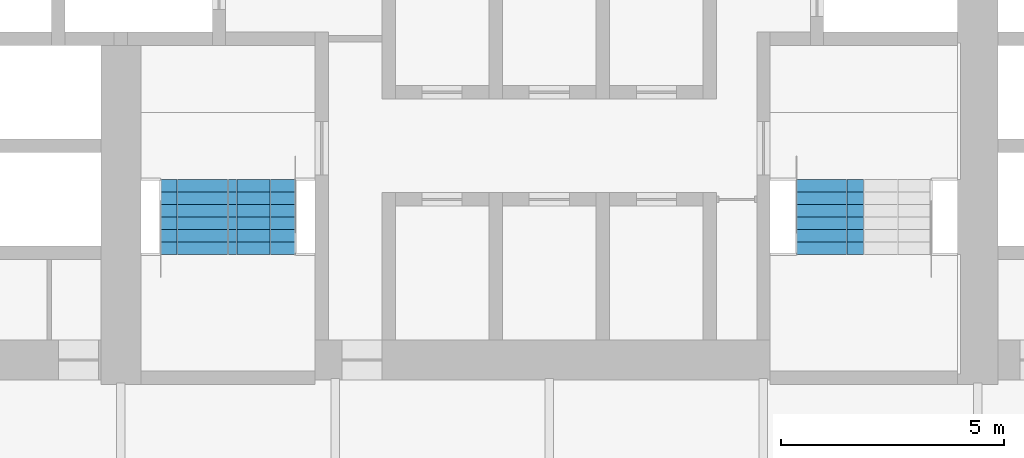
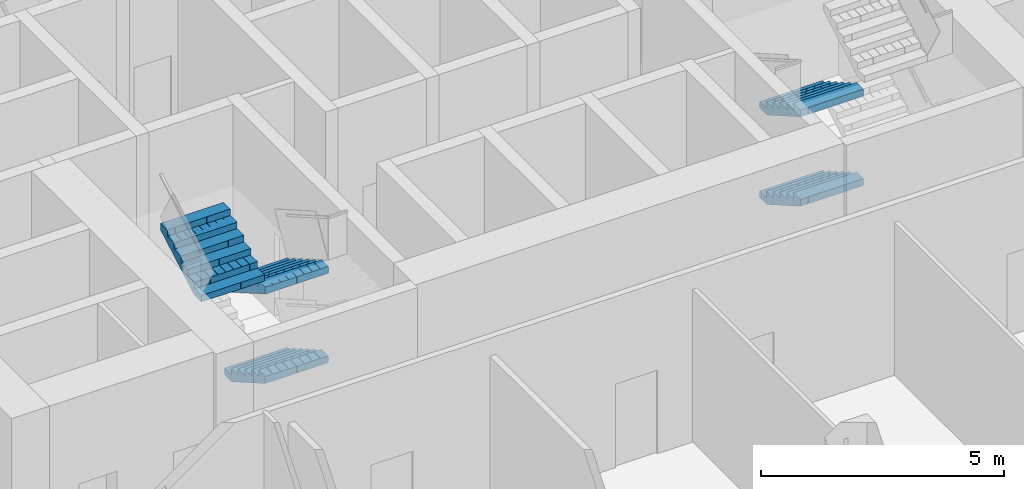
# One storey, part 18 of 22: 5 stair flights, 2 elements without a shape of their own.
"""IFC4 building model written with IfcOpenShell, lengths in metres."""

from ifc_helpers import new_model, si_unit, direction, frame, origin, place, context, subcontext, project, spatial, polyline, outline, extrude, material, type_object, element, aggregate, save


model = new_model("IFC4")

# Units and contexts
model_context = context("Model", 3, precision=1e-05, world=origin(), true_north=direction((0.0, 1.0)))
body_context = subcontext(model_context, "Body", "Model", "MODEL_VIEW")
ifc_project = project(units=[si_unit("LENGTHUNIT", "METRE"), si_unit("AREAUNIT", "SQUARE_METRE"), si_unit("VOLUMEUNIT", "CUBIC_METRE"), si_unit("PLANEANGLEUNIT", "RADIAN"), si_unit("MASSUNIT", "GRAM", prefix="KILO")], contexts=[model_context])

# Site, building, storey
site_placement = place(None, origin())
site = spatial("IfcSite", under=ifc_project, at=site_placement, CompositionType="ELEMENT")
building_placement = place(site_placement, origin())
building = spatial("IfcBuilding", under=site, at=building_placement, Name="Kolab Exchange Tower", CompositionType="ELEMENT")
storey_placement = place(building_placement, frame((0.0, 0.0, 113.89990234375)))
storey = spatial("IfcBuildingStorey", under=building, at=storey_placement, Name="L22", CompositionType="ELEMENT", Elevation=113.89990234375)

# Stair, stair flights
ifc_material = material(Name="Concrete C50/60", Category="concrete")
stair_type_1 = type_object("IfcStairType", Name="STAIR ST3 RISER 160.7", PredefinedType="DOUBLE_RETURN_STAIR", material=ifc_material)
stair_1_placement = place(storey_placement, origin())
stair_1 = element("IfcStair", 1, at=stair_1_placement, inside=storey, type_object=stair_type_1, Name="Stair 3", PredefinedType="DOUBLE_RETURN_STAIR")
stair_flight_type = type_object("IfcStairFlightType", Name="STAIR FLIGHT 1500 RISER 160.7", PredefinedType="STRAIGHT", material=ifc_material)
stair_flight_1_placement = place(storey_placement, frame((-6.43994140625, -5.550048828125, 0.0), z_axis=(0.0, 0.0, 1.0), x_axis=(0.0, -1.0, 0.0)))
stair_flight_1 = element("IfcStairFlight", 2, at=stair_flight_1_placement, type_object=stair_flight_type, Name="ST3 flight 1", NumberOfRisers=7, NumberOfTreads=6, PredefinedType="STRAIGHT", RiserHeight=0.160714286, TreadLength=0.28, context=body_context, shape_type="SweptSolid", body=[
    extrude(outline(polyline([(0.0, 0.0), (0.0, 0.16064453125), (0.280029296875, 0.16064453125), (0.280029296875, 0.321533203125), (0.56005859375, 0.321533203125), (0.56005859375, 0.482177734375), (0.840087890625, 0.482177734375), (0.840087890625, 0.642822265625), (1.1201171875, 0.642822265625), (1.1201171875, 0.803466796875), (1.39990234375, 0.803466796875), (1.39990234375, 0.96435546875), (1.679931640625, 0.96435546875), (1.679931640625, 1.125), (1.679931640625, 0.79150390625), (0.301025390625, 0.0), (0.0, 0.0)])), frame((0.0, 0.75, 0.0), z_axis=(0.0, -1.0, 0.0), x_axis=(1.0, 0.0, 0.0)), (0.0, 0.0, 1.0), 0.185791015625),
    extrude(outline(polyline([(0.0, 0.0), (0.0, 0.16064453125), (0.280029296875, 0.16064453125), (0.280029296875, 0.321533203125), (0.56005859375, 0.321533203125), (0.56005859375, 0.482177734375), (0.840087890625, 0.482177734375), (0.840087890625, 0.642822265625), (1.1201171875, 0.642822265625), (1.1201171875, 0.803466796875), (1.39990234375, 0.803466796875), (1.39990234375, 0.96435546875), (1.679931640625, 0.96435546875), (1.679931640625, 1.125), (1.679931640625, 0.79150390625), (0.301025390625, 0.0), (0.0, 0.0)])), frame((0.0, 0.562255859375, 0.0), z_axis=(0.0, -1.0, 0.0), x_axis=(1.0, 0.0, 0.0)), (0.0, 0.0, 1.0), 0.185791015625),
    extrude(outline(polyline([(0.0, 0.0), (0.0, 0.16064453125), (0.280029296875, 0.16064453125), (0.280029296875, 0.321533203125), (0.56005859375, 0.321533203125), (0.56005859375, 0.482177734375), (0.840087890625, 0.482177734375), (0.840087890625, 0.642822265625), (1.1201171875, 0.642822265625), (1.1201171875, 0.803466796875), (1.39990234375, 0.803466796875), (1.39990234375, 0.96435546875), (1.679931640625, 0.96435546875), (1.679931640625, 1.125), (1.679931640625, 0.79150390625), (0.301025390625, 0.0), (0.0, 0.0)])), frame((0.0, 0.37451171875, 0.0), z_axis=(0.0, -1.0, 0.0), x_axis=(1.0, 0.0, 0.0)), (0.0, 0.0, 1.0), 0.185791015625),
    extrude(outline(polyline([(0.0, 0.0), (0.0, 0.16064453125), (0.280029296875, 0.16064453125), (0.280029296875, 0.321533203125), (0.56005859375, 0.321533203125), (0.56005859375, 0.482177734375), (0.840087890625, 0.482177734375), (0.840087890625, 0.642822265625), (1.1201171875, 0.642822265625), (1.1201171875, 0.803466796875), (1.39990234375, 0.803466796875), (1.39990234375, 0.96435546875), (1.679931640625, 0.96435546875), (1.679931640625, 1.125), (1.679931640625, 0.79150390625), (0.301025390625, 0.0), (0.0, 0.0)])), frame((0.0, 0.186767578125, 0.0), z_axis=(0.0, -1.0, 0.0), x_axis=(1.0, 0.0, 0.0)), (0.0, 0.0, 1.0), 0.185791015625),
    extrude(outline(polyline([(0.0, 0.0), (0.0, 0.16064453125), (0.280029296875, 0.16064453125), (0.280029296875, 0.321533203125), (0.56005859375, 0.321533203125), (0.56005859375, 0.482177734375), (0.840087890625, 0.482177734375), (0.840087890625, 0.642822265625), (1.1201171875, 0.642822265625), (1.1201171875, 0.803466796875), (1.39990234375, 0.803466796875), (1.39990234375, 0.96435546875), (1.679931640625, 0.96435546875), (1.679931640625, 1.125), (1.679931640625, 0.79150390625), (0.301025390625, 0.0), (0.0, 0.0)])), frame((0.0, -0.0009765625, 0.0), z_axis=(0.0, -1.0, 0.0), x_axis=(1.0, 0.0, 0.0)), (0.0, 0.0, 1.0), 0.185791015625),
    extrude(outline(polyline([(0.0, 0.0), (0.0, 0.16064453125), (0.280029296875, 0.16064453125), (0.280029296875, 0.321533203125), (0.56005859375, 0.321533203125), (0.56005859375, 0.482177734375), (0.840087890625, 0.482177734375), (0.840087890625, 0.642822265625), (1.1201171875, 0.642822265625), (1.1201171875, 0.803466796875), (1.39990234375, 0.803466796875), (1.39990234375, 0.96435546875), (1.679931640625, 0.96435546875), (1.679931640625, 1.125), (1.679931640625, 0.79150390625), (0.301025390625, 0.0), (0.0, 0.0)])), frame((0.0, -0.188720703125, 0.0), z_axis=(0.0, -1.0, 0.0), x_axis=(1.0, 0.0, 0.0)), (0.0, 0.0, 1.0), 0.185791015625),
    extrude(outline(polyline([(0.0, 0.0), (0.0, 0.16064453125), (0.280029296875, 0.16064453125), (0.280029296875, 0.321533203125), (0.56005859375, 0.321533203125), (0.56005859375, 0.482177734375), (0.840087890625, 0.482177734375), (0.840087890625, 0.642822265625), (1.1201171875, 0.642822265625), (1.1201171875, 0.803466796875), (1.39990234375, 0.803466796875), (1.39990234375, 0.96435546875), (1.679931640625, 0.96435546875), (1.679931640625, 1.125), (1.679931640625, 0.79150390625), (0.301025390625, 0.0), (0.0, 0.0)])), frame((0.0, -0.37646484375, 0.0), z_axis=(0.0, -1.0, 0.0), x_axis=(1.0, 0.0, 0.0)), (0.0, 0.0, 1.0), 0.185791015625),
    extrude(outline(polyline([(0.0, 0.0), (0.0, 0.16064453125), (0.280029296875, 0.16064453125), (0.280029296875, 0.321533203125), (0.56005859375, 0.321533203125), (0.56005859375, 0.482177734375), (0.840087890625, 0.482177734375), (0.840087890625, 0.642822265625), (1.1201171875, 0.642822265625), (1.1201171875, 0.803466796875), (1.39990234375, 0.803466796875), (1.39990234375, 0.96435546875), (1.679931640625, 0.96435546875), (1.679931640625, 1.125), (1.679931640625, 0.79150390625), (0.301025390625, 0.0), (0.0, 0.0)])), frame((0.0, -0.564208984375, 0.0), z_axis=(0.0, -1.0, 0.0), x_axis=(1.0, 0.0, 0.0)), (0.0, 0.0, 1.0), 0.185791015625),
])
stair_flight_2_placement = place(storey_placement, frame((-6.43994140625, -5.550048828125, 2.25), z_axis=(0.0, 0.0, 1.0), x_axis=(0.0, -1.0, 0.0)))
stair_flight_2 = element("IfcStairFlight", 3, at=stair_flight_2_placement, type_object=stair_flight_type, Name="ST3 flight 3", NumberOfRisers=7, NumberOfTreads=6, PredefinedType="STRAIGHT", RiserHeight=0.160714286, TreadLength=0.28, context=body_context, shape_type="SweptSolid", body=[
    extrude(outline(polyline([(0.0, 0.0), (0.0, 0.16064453125), (0.280029296875, 0.16064453125), (0.280029296875, 0.321533203125), (0.56005859375, 0.321533203125), (0.56005859375, 0.482177734375), (0.840087890625, 0.482177734375), (0.840087890625, 0.642822265625), (1.1201171875, 0.642822265625), (1.1201171875, 0.803466796875), (1.39990234375, 0.803466796875), (1.39990234375, 0.96435546875), (1.679931640625, 0.96435546875), (1.679931640625, 1.125), (1.679931640625, 0.79150390625), (0.301025390625, 0.0), (0.0, 0.0)])), frame((0.0, 0.75, 0.0), z_axis=(0.0, -1.0, 0.0), x_axis=(1.0, 0.0, 0.0)), (0.0, 0.0, 1.0), 0.185791015625),
    extrude(outline(polyline([(0.0, 0.0), (0.0, 0.16064453125), (0.280029296875, 0.16064453125), (0.280029296875, 0.321533203125), (0.56005859375, 0.321533203125), (0.56005859375, 0.482177734375), (0.840087890625, 0.482177734375), (0.840087890625, 0.642822265625), (1.1201171875, 0.642822265625), (1.1201171875, 0.803466796875), (1.39990234375, 0.803466796875), (1.39990234375, 0.96435546875), (1.679931640625, 0.96435546875), (1.679931640625, 1.125), (1.679931640625, 0.79150390625), (0.301025390625, 0.0), (0.0, 0.0)])), frame((0.0, 0.562255859375, 0.0), z_axis=(0.0, -1.0, 0.0), x_axis=(1.0, 0.0, 0.0)), (0.0, 0.0, 1.0), 0.185791015625),
    extrude(outline(polyline([(0.0, 0.0), (0.0, 0.16064453125), (0.280029296875, 0.16064453125), (0.280029296875, 0.321533203125), (0.56005859375, 0.321533203125), (0.56005859375, 0.482177734375), (0.840087890625, 0.482177734375), (0.840087890625, 0.642822265625), (1.1201171875, 0.642822265625), (1.1201171875, 0.803466796875), (1.39990234375, 0.803466796875), (1.39990234375, 0.96435546875), (1.679931640625, 0.96435546875), (1.679931640625, 1.125), (1.679931640625, 0.79150390625), (0.301025390625, 0.0), (0.0, 0.0)])), frame((0.0, 0.37451171875, 0.0), z_axis=(0.0, -1.0, 0.0), x_axis=(1.0, 0.0, 0.0)), (0.0, 0.0, 1.0), 0.185791015625),
    extrude(outline(polyline([(0.0, 0.0), (0.0, 0.16064453125), (0.280029296875, 0.16064453125), (0.280029296875, 0.321533203125), (0.56005859375, 0.321533203125), (0.56005859375, 0.482177734375), (0.840087890625, 0.482177734375), (0.840087890625, 0.642822265625), (1.1201171875, 0.642822265625), (1.1201171875, 0.803466796875), (1.39990234375, 0.803466796875), (1.39990234375, 0.96435546875), (1.679931640625, 0.96435546875), (1.679931640625, 1.125), (1.679931640625, 0.79150390625), (0.301025390625, 0.0), (0.0, 0.0)])), frame((0.0, 0.186767578125, 0.0), z_axis=(0.0, -1.0, 0.0), x_axis=(1.0, 0.0, 0.0)), (0.0, 0.0, 1.0), 0.185791015625),
    extrude(outline(polyline([(0.0, 0.0), (0.0, 0.16064453125), (0.280029296875, 0.16064453125), (0.280029296875, 0.321533203125), (0.56005859375, 0.321533203125), (0.56005859375, 0.482177734375), (0.840087890625, 0.482177734375), (0.840087890625, 0.642822265625), (1.1201171875, 0.642822265625), (1.1201171875, 0.803466796875), (1.39990234375, 0.803466796875), (1.39990234375, 0.96435546875), (1.679931640625, 0.96435546875), (1.679931640625, 1.125), (1.679931640625, 0.79150390625), (0.301025390625, 0.0), (0.0, 0.0)])), frame((0.0, -0.0009765625, 0.0), z_axis=(0.0, -1.0, 0.0), x_axis=(1.0, 0.0, 0.0)), (0.0, 0.0, 1.0), 0.185791015625),
    extrude(outline(polyline([(0.0, 0.0), (0.0, 0.16064453125), (0.280029296875, 0.16064453125), (0.280029296875, 0.321533203125), (0.56005859375, 0.321533203125), (0.56005859375, 0.482177734375), (0.840087890625, 0.482177734375), (0.840087890625, 0.642822265625), (1.1201171875, 0.642822265625), (1.1201171875, 0.803466796875), (1.39990234375, 0.803466796875), (1.39990234375, 0.96435546875), (1.679931640625, 0.96435546875), (1.679931640625, 1.125), (1.679931640625, 0.79150390625), (0.301025390625, 0.0), (0.0, 0.0)])), frame((0.0, -0.188720703125, 0.0), z_axis=(0.0, -1.0, 0.0), x_axis=(1.0, 0.0, 0.0)), (0.0, 0.0, 1.0), 0.185791015625),
    extrude(outline(polyline([(0.0, 0.0), (0.0, 0.16064453125), (0.280029296875, 0.16064453125), (0.280029296875, 0.321533203125), (0.56005859375, 0.321533203125), (0.56005859375, 0.482177734375), (0.840087890625, 0.482177734375), (0.840087890625, 0.642822265625), (1.1201171875, 0.642822265625), (1.1201171875, 0.803466796875), (1.39990234375, 0.803466796875), (1.39990234375, 0.96435546875), (1.679931640625, 0.96435546875), (1.679931640625, 1.125), (1.679931640625, 0.79150390625), (0.301025390625, 0.0), (0.0, 0.0)])), frame((0.0, -0.37646484375, 0.0), z_axis=(0.0, -1.0, 0.0), x_axis=(1.0, 0.0, 0.0)), (0.0, 0.0, 1.0), 0.185791015625),
    extrude(outline(polyline([(0.0, 0.0), (0.0, 0.16064453125), (0.280029296875, 0.16064453125), (0.280029296875, 0.321533203125), (0.56005859375, 0.321533203125), (0.56005859375, 0.482177734375), (0.840087890625, 0.482177734375), (0.840087890625, 0.642822265625), (1.1201171875, 0.642822265625), (1.1201171875, 0.803466796875), (1.39990234375, 0.803466796875), (1.39990234375, 0.96435546875), (1.679931640625, 0.96435546875), (1.679931640625, 1.125), (1.679931640625, 0.79150390625), (0.301025390625, 0.0), (0.0, 0.0)])), frame((0.0, -0.564208984375, 0.0), z_axis=(0.0, -1.0, 0.0), x_axis=(1.0, 0.0, 0.0)), (0.0, 0.0, 1.0), 0.185791015625),
])
stair_flight_3_placement = place(storey_placement, frame((-7.9599609375, -7.22998046875, 3.375), z_axis=(0.0, 0.0, 1.0), x_axis=(0.0, 1.0, 0.0)))
stair_flight_3 = element("IfcStairFlight", 4, at=stair_flight_3_placement, type_object=stair_flight_type, Name="ST3 flight 4", NumberOfRisers=7, NumberOfTreads=6, PredefinedType="STRAIGHT", RiserHeight=0.160714286, TreadLength=0.28, context=body_context, shape_type="SweptSolid", body=[
    extrude(outline(polyline([(0.0, 0.0), (0.0, 0.16064453125), (0.280029296875, 0.16064453125), (0.280029296875, 0.321533203125), (0.56005859375, 0.321533203125), (0.56005859375, 0.482177734375), (0.840087890625, 0.482177734375), (0.840087890625, 0.642822265625), (1.1201171875, 0.642822265625), (1.1201171875, 0.803466796875), (1.39990234375, 0.803466796875), (1.39990234375, 0.96435546875), (1.679931640625, 0.96435546875), (1.679931640625, 1.125), (1.679931640625, 0.79150390625), (0.301025390625, 0.0), (0.0, 0.0)])), frame((0.0, 0.75, 0.0), z_axis=(0.0, -1.0, 0.0), x_axis=(1.0, 0.0, 0.0)), (0.0, 0.0, 1.0), 0.185791015625),
    extrude(outline(polyline([(0.0, 0.0), (0.0, 0.16064453125), (0.280029296875, 0.16064453125), (0.280029296875, 0.321533203125), (0.56005859375, 0.321533203125), (0.56005859375, 0.482177734375), (0.840087890625, 0.482177734375), (0.840087890625, 0.642822265625), (1.1201171875, 0.642822265625), (1.1201171875, 0.803466796875), (1.39990234375, 0.803466796875), (1.39990234375, 0.96435546875), (1.679931640625, 0.96435546875), (1.679931640625, 1.125), (1.679931640625, 0.79150390625), (0.301025390625, 0.0), (0.0, 0.0)])), frame((0.0, 0.562255859375, 0.0), z_axis=(0.0, -1.0, 0.0), x_axis=(1.0, 0.0, 0.0)), (0.0, 0.0, 1.0), 0.185791015625),
    extrude(outline(polyline([(0.0, 0.0), (0.0, 0.16064453125), (0.280029296875, 0.16064453125), (0.280029296875, 0.321533203125), (0.56005859375, 0.321533203125), (0.56005859375, 0.482177734375), (0.840087890625, 0.482177734375), (0.840087890625, 0.642822265625), (1.1201171875, 0.642822265625), (1.1201171875, 0.803466796875), (1.39990234375, 0.803466796875), (1.39990234375, 0.96435546875), (1.679931640625, 0.96435546875), (1.679931640625, 1.125), (1.679931640625, 0.79150390625), (0.301025390625, 0.0), (0.0, 0.0)])), frame((0.0, 0.37451171875, 0.0), z_axis=(0.0, -1.0, 0.0), x_axis=(1.0, 0.0, 0.0)), (0.0, 0.0, 1.0), 0.185791015625),
    extrude(outline(polyline([(0.0, 0.0), (0.0, 0.16064453125), (0.280029296875, 0.16064453125), (0.280029296875, 0.321533203125), (0.56005859375, 0.321533203125), (0.56005859375, 0.482177734375), (0.840087890625, 0.482177734375), (0.840087890625, 0.642822265625), (1.1201171875, 0.642822265625), (1.1201171875, 0.803466796875), (1.39990234375, 0.803466796875), (1.39990234375, 0.96435546875), (1.679931640625, 0.96435546875), (1.679931640625, 1.125), (1.679931640625, 0.79150390625), (0.301025390625, 0.0), (0.0, 0.0)])), frame((0.0, 0.186767578125, 0.0), z_axis=(0.0, -1.0, 0.0), x_axis=(1.0, 0.0, 0.0)), (0.0, 0.0, 1.0), 0.185791015625),
    extrude(outline(polyline([(0.0, 0.0), (0.0, 0.16064453125), (0.280029296875, 0.16064453125), (0.280029296875, 0.321533203125), (0.56005859375, 0.321533203125), (0.56005859375, 0.482177734375), (0.840087890625, 0.482177734375), (0.840087890625, 0.642822265625), (1.1201171875, 0.642822265625), (1.1201171875, 0.803466796875), (1.39990234375, 0.803466796875), (1.39990234375, 0.96435546875), (1.679931640625, 0.96435546875), (1.679931640625, 1.125), (1.679931640625, 0.79150390625), (0.301025390625, 0.0), (0.0, 0.0)])), frame((0.0, -0.0009765625, 0.0), z_axis=(0.0, -1.0, 0.0), x_axis=(1.0, 0.0, 0.0)), (0.0, 0.0, 1.0), 0.185791015625),
    extrude(outline(polyline([(0.0, 0.0), (0.0, 0.16064453125), (0.280029296875, 0.16064453125), (0.280029296875, 0.321533203125), (0.56005859375, 0.321533203125), (0.56005859375, 0.482177734375), (0.840087890625, 0.482177734375), (0.840087890625, 0.642822265625), (1.1201171875, 0.642822265625), (1.1201171875, 0.803466796875), (1.39990234375, 0.803466796875), (1.39990234375, 0.96435546875), (1.679931640625, 0.96435546875), (1.679931640625, 1.125), (1.679931640625, 0.79150390625), (0.301025390625, 0.0), (0.0, 0.0)])), frame((0.0, -0.188720703125, 0.0), z_axis=(0.0, -1.0, 0.0), x_axis=(1.0, 0.0, 0.0)), (0.0, 0.0, 1.0), 0.185791015625),
    extrude(outline(polyline([(0.0, 0.0), (0.0, 0.16064453125), (0.280029296875, 0.16064453125), (0.280029296875, 0.321533203125), (0.56005859375, 0.321533203125), (0.56005859375, 0.482177734375), (0.840087890625, 0.482177734375), (0.840087890625, 0.642822265625), (1.1201171875, 0.642822265625), (1.1201171875, 0.803466796875), (1.39990234375, 0.803466796875), (1.39990234375, 0.96435546875), (1.679931640625, 0.96435546875), (1.679931640625, 1.125), (1.679931640625, 0.79150390625), (0.301025390625, 0.0), (0.0, 0.0)])), frame((0.0, -0.37646484375, 0.0), z_axis=(0.0, -1.0, 0.0), x_axis=(1.0, 0.0, 0.0)), (0.0, 0.0, 1.0), 0.185791015625),
    extrude(outline(polyline([(0.0, 0.0), (0.0, 0.16064453125), (0.280029296875, 0.16064453125), (0.280029296875, 0.321533203125), (0.56005859375, 0.321533203125), (0.56005859375, 0.482177734375), (0.840087890625, 0.482177734375), (0.840087890625, 0.642822265625), (1.1201171875, 0.642822265625), (1.1201171875, 0.803466796875), (1.39990234375, 0.803466796875), (1.39990234375, 0.96435546875), (1.679931640625, 0.96435546875), (1.679931640625, 1.125), (1.679931640625, 0.79150390625), (0.301025390625, 0.0), (0.0, 0.0)])), frame((0.0, -0.564208984375, 0.0), z_axis=(0.0, -1.0, 0.0), x_axis=(1.0, 0.0, 0.0)), (0.0, 0.0, 1.0), 0.185791015625),
])
aggregate(stair_1, [stair_flight_1, stair_flight_2, stair_flight_3])

stair_type_2 = type_object("IfcStairType", Name="STAIR ST2 RISER 160.7", PredefinedType="DOUBLE_RETURN_STAIR", material=ifc_material)
stair_2_placement = place(storey_placement, origin())
stair_2 = element("IfcStair", 5, at=stair_2_placement, inside=storey, type_object=stair_type_2, Name="Stair 2", PredefinedType="DOUBLE_RETURN_STAIR")
stair_flight_4_placement = place(storey_placement, frame((6.2900390625, -5.550048828125, 0.0), z_axis=(0.0, 0.0, 1.0), x_axis=(0.0, -1.0, 0.0)))
stair_flight_4 = element("IfcStairFlight", 6, at=stair_flight_4_placement, type_object=stair_flight_type, Name="ST2 flight 1", NumberOfRisers=7, NumberOfTreads=6, PredefinedType="STRAIGHT", RiserHeight=0.160714286, TreadLength=0.28, context=body_context, shape_type="SweptSolid", body=[
    extrude(outline(polyline([(0.0, 0.0), (0.0, 0.16064453125), (0.280029296875, 0.16064453125), (0.280029296875, 0.321533203125), (0.56005859375, 0.321533203125), (0.56005859375, 0.482177734375), (0.840087890625, 0.482177734375), (0.840087890625, 0.642822265625), (1.1201171875, 0.642822265625), (1.1201171875, 0.803466796875), (1.39990234375, 0.803466796875), (1.39990234375, 0.96435546875), (1.679931640625, 0.96435546875), (1.679931640625, 1.125), (1.679931640625, 0.79150390625), (0.301025390625, 0.0), (0.0, 0.0)])), frame((0.0, 0.75, 0.0), z_axis=(0.0, -1.0, 0.0), x_axis=(1.0, 0.0, 0.0)), (0.0, 0.0, 1.0), 0.185791015625),
    extrude(outline(polyline([(0.0, 0.0), (0.0, 0.16064453125), (0.280029296875, 0.16064453125), (0.280029296875, 0.321533203125), (0.56005859375, 0.321533203125), (0.56005859375, 0.482177734375), (0.840087890625, 0.482177734375), (0.840087890625, 0.642822265625), (1.1201171875, 0.642822265625), (1.1201171875, 0.803466796875), (1.39990234375, 0.803466796875), (1.39990234375, 0.96435546875), (1.679931640625, 0.96435546875), (1.679931640625, 1.125), (1.679931640625, 0.79150390625), (0.301025390625, 0.0), (0.0, 0.0)])), frame((0.0, 0.562255859375, 0.0), z_axis=(0.0, -1.0, 0.0), x_axis=(1.0, 0.0, 0.0)), (0.0, 0.0, 1.0), 0.185791015625),
    extrude(outline(polyline([(0.0, 0.0), (0.0, 0.16064453125), (0.280029296875, 0.16064453125), (0.280029296875, 0.321533203125), (0.56005859375, 0.321533203125), (0.56005859375, 0.482177734375), (0.840087890625, 0.482177734375), (0.840087890625, 0.642822265625), (1.1201171875, 0.642822265625), (1.1201171875, 0.803466796875), (1.39990234375, 0.803466796875), (1.39990234375, 0.96435546875), (1.679931640625, 0.96435546875), (1.679931640625, 1.125), (1.679931640625, 0.79150390625), (0.301025390625, 0.0), (0.0, 0.0)])), frame((0.0, 0.37451171875, 0.0), z_axis=(0.0, -1.0, 0.0), x_axis=(1.0, 0.0, 0.0)), (0.0, 0.0, 1.0), 0.185791015625),
    extrude(outline(polyline([(0.0, 0.0), (0.0, 0.16064453125), (0.280029296875, 0.16064453125), (0.280029296875, 0.321533203125), (0.56005859375, 0.321533203125), (0.56005859375, 0.482177734375), (0.840087890625, 0.482177734375), (0.840087890625, 0.642822265625), (1.1201171875, 0.642822265625), (1.1201171875, 0.803466796875), (1.39990234375, 0.803466796875), (1.39990234375, 0.96435546875), (1.679931640625, 0.96435546875), (1.679931640625, 1.125), (1.679931640625, 0.79150390625), (0.301025390625, 0.0), (0.0, 0.0)])), frame((0.0, 0.186767578125, 0.0), z_axis=(0.0, -1.0, 0.0), x_axis=(1.0, 0.0, 0.0)), (0.0, 0.0, 1.0), 0.185791015625),
    extrude(outline(polyline([(0.0, 0.0), (0.0, 0.16064453125), (0.280029296875, 0.16064453125), (0.280029296875, 0.321533203125), (0.56005859375, 0.321533203125), (0.56005859375, 0.482177734375), (0.840087890625, 0.482177734375), (0.840087890625, 0.642822265625), (1.1201171875, 0.642822265625), (1.1201171875, 0.803466796875), (1.39990234375, 0.803466796875), (1.39990234375, 0.96435546875), (1.679931640625, 0.96435546875), (1.679931640625, 1.125), (1.679931640625, 0.79150390625), (0.301025390625, 0.0), (0.0, 0.0)])), frame((0.0, -0.0009765625, 0.0), z_axis=(0.0, -1.0, 0.0), x_axis=(1.0, 0.0, 0.0)), (0.0, 0.0, 1.0), 0.185791015625),
    extrude(outline(polyline([(0.0, 0.0), (0.0, 0.16064453125), (0.280029296875, 0.16064453125), (0.280029296875, 0.321533203125), (0.56005859375, 0.321533203125), (0.56005859375, 0.482177734375), (0.840087890625, 0.482177734375), (0.840087890625, 0.642822265625), (1.1201171875, 0.642822265625), (1.1201171875, 0.803466796875), (1.39990234375, 0.803466796875), (1.39990234375, 0.96435546875), (1.679931640625, 0.96435546875), (1.679931640625, 1.125), (1.679931640625, 0.79150390625), (0.301025390625, 0.0), (0.0, 0.0)])), frame((0.0, -0.188720703125, 0.0), z_axis=(0.0, -1.0, 0.0), x_axis=(1.0, 0.0, 0.0)), (0.0, 0.0, 1.0), 0.185791015625),
    extrude(outline(polyline([(0.0, 0.0), (0.0, 0.16064453125), (0.280029296875, 0.16064453125), (0.280029296875, 0.321533203125), (0.56005859375, 0.321533203125), (0.56005859375, 0.482177734375), (0.840087890625, 0.482177734375), (0.840087890625, 0.642822265625), (1.1201171875, 0.642822265625), (1.1201171875, 0.803466796875), (1.39990234375, 0.803466796875), (1.39990234375, 0.96435546875), (1.679931640625, 0.96435546875), (1.679931640625, 1.125), (1.679931640625, 0.79150390625), (0.301025390625, 0.0), (0.0, 0.0)])), frame((0.0, -0.37646484375, 0.0), z_axis=(0.0, -1.0, 0.0), x_axis=(1.0, 0.0, 0.0)), (0.0, 0.0, 1.0), 0.185791015625),
    extrude(outline(polyline([(0.0, 0.0), (0.0, 0.16064453125), (0.280029296875, 0.16064453125), (0.280029296875, 0.321533203125), (0.56005859375, 0.321533203125), (0.56005859375, 0.482177734375), (0.840087890625, 0.482177734375), (0.840087890625, 0.642822265625), (1.1201171875, 0.642822265625), (1.1201171875, 0.803466796875), (1.39990234375, 0.803466796875), (1.39990234375, 0.96435546875), (1.679931640625, 0.96435546875), (1.679931640625, 1.125), (1.679931640625, 0.79150390625), (0.301025390625, 0.0), (0.0, 0.0)])), frame((0.0, -0.564208984375, 0.0), z_axis=(0.0, -1.0, 0.0), x_axis=(1.0, 0.0, 0.0)), (0.0, 0.0, 1.0), 0.185791015625),
])
stair_flight_5_placement = place(storey_placement, frame((6.2900390625, -5.550048828125, 2.25), z_axis=(0.0, 0.0, 1.0), x_axis=(0.0, -1.0, 0.0)))
stair_flight_5 = element("IfcStairFlight", 7, at=stair_flight_5_placement, type_object=stair_flight_type, Name="ST2 flight 3", NumberOfRisers=7, NumberOfTreads=6, PredefinedType="STRAIGHT", RiserHeight=0.160714286, TreadLength=0.28, context=body_context, shape_type="SweptSolid", body=[
    extrude(outline(polyline([(0.0, 0.0), (0.0, 0.16064453125), (0.280029296875, 0.16064453125), (0.280029296875, 0.321533203125), (0.56005859375, 0.321533203125), (0.56005859375, 0.482177734375), (0.840087890625, 0.482177734375), (0.840087890625, 0.642822265625), (1.1201171875, 0.642822265625), (1.1201171875, 0.803466796875), (1.39990234375, 0.803466796875), (1.39990234375, 0.96435546875), (1.679931640625, 0.96435546875), (1.679931640625, 1.125), (1.679931640625, 0.79150390625), (0.301025390625, 0.0), (0.0, 0.0)])), frame((0.0, 0.75, 0.0), z_axis=(0.0, -1.0, 0.0), x_axis=(1.0, 0.0, 0.0)), (0.0, 0.0, 1.0), 0.185791015625),
    extrude(outline(polyline([(0.0, 0.0), (0.0, 0.16064453125), (0.280029296875, 0.16064453125), (0.280029296875, 0.321533203125), (0.56005859375, 0.321533203125), (0.56005859375, 0.482177734375), (0.840087890625, 0.482177734375), (0.840087890625, 0.642822265625), (1.1201171875, 0.642822265625), (1.1201171875, 0.803466796875), (1.39990234375, 0.803466796875), (1.39990234375, 0.96435546875), (1.679931640625, 0.96435546875), (1.679931640625, 1.125), (1.679931640625, 0.79150390625), (0.301025390625, 0.0), (0.0, 0.0)])), frame((0.0, 0.562255859375, 0.0), z_axis=(0.0, -1.0, 0.0), x_axis=(1.0, 0.0, 0.0)), (0.0, 0.0, 1.0), 0.185791015625),
    extrude(outline(polyline([(0.0, 0.0), (0.0, 0.16064453125), (0.280029296875, 0.16064453125), (0.280029296875, 0.321533203125), (0.56005859375, 0.321533203125), (0.56005859375, 0.482177734375), (0.840087890625, 0.482177734375), (0.840087890625, 0.642822265625), (1.1201171875, 0.642822265625), (1.1201171875, 0.803466796875), (1.39990234375, 0.803466796875), (1.39990234375, 0.96435546875), (1.679931640625, 0.96435546875), (1.679931640625, 1.125), (1.679931640625, 0.79150390625), (0.301025390625, 0.0), (0.0, 0.0)])), frame((0.0, 0.37451171875, 0.0), z_axis=(0.0, -1.0, 0.0), x_axis=(1.0, 0.0, 0.0)), (0.0, 0.0, 1.0), 0.185791015625),
    extrude(outline(polyline([(0.0, 0.0), (0.0, 0.16064453125), (0.280029296875, 0.16064453125), (0.280029296875, 0.321533203125), (0.56005859375, 0.321533203125), (0.56005859375, 0.482177734375), (0.840087890625, 0.482177734375), (0.840087890625, 0.642822265625), (1.1201171875, 0.642822265625), (1.1201171875, 0.803466796875), (1.39990234375, 0.803466796875), (1.39990234375, 0.96435546875), (1.679931640625, 0.96435546875), (1.679931640625, 1.125), (1.679931640625, 0.79150390625), (0.301025390625, 0.0), (0.0, 0.0)])), frame((0.0, 0.186767578125, 0.0), z_axis=(0.0, -1.0, 0.0), x_axis=(1.0, 0.0, 0.0)), (0.0, 0.0, 1.0), 0.185791015625),
    extrude(outline(polyline([(0.0, 0.0), (0.0, 0.16064453125), (0.280029296875, 0.16064453125), (0.280029296875, 0.321533203125), (0.56005859375, 0.321533203125), (0.56005859375, 0.482177734375), (0.840087890625, 0.482177734375), (0.840087890625, 0.642822265625), (1.1201171875, 0.642822265625), (1.1201171875, 0.803466796875), (1.39990234375, 0.803466796875), (1.39990234375, 0.96435546875), (1.679931640625, 0.96435546875), (1.679931640625, 1.125), (1.679931640625, 0.79150390625), (0.301025390625, 0.0), (0.0, 0.0)])), frame((0.0, -0.0009765625, 0.0), z_axis=(0.0, -1.0, 0.0), x_axis=(1.0, 0.0, 0.0)), (0.0, 0.0, 1.0), 0.185791015625),
    extrude(outline(polyline([(0.0, 0.0), (0.0, 0.16064453125), (0.280029296875, 0.16064453125), (0.280029296875, 0.321533203125), (0.56005859375, 0.321533203125), (0.56005859375, 0.482177734375), (0.840087890625, 0.482177734375), (0.840087890625, 0.642822265625), (1.1201171875, 0.642822265625), (1.1201171875, 0.803466796875), (1.39990234375, 0.803466796875), (1.39990234375, 0.96435546875), (1.679931640625, 0.96435546875), (1.679931640625, 1.125), (1.679931640625, 0.79150390625), (0.301025390625, 0.0), (0.0, 0.0)])), frame((0.0, -0.188720703125, 0.0), z_axis=(0.0, -1.0, 0.0), x_axis=(1.0, 0.0, 0.0)), (0.0, 0.0, 1.0), 0.185791015625),
    extrude(outline(polyline([(0.0, 0.0), (0.0, 0.16064453125), (0.280029296875, 0.16064453125), (0.280029296875, 0.321533203125), (0.56005859375, 0.321533203125), (0.56005859375, 0.482177734375), (0.840087890625, 0.482177734375), (0.840087890625, 0.642822265625), (1.1201171875, 0.642822265625), (1.1201171875, 0.803466796875), (1.39990234375, 0.803466796875), (1.39990234375, 0.96435546875), (1.679931640625, 0.96435546875), (1.679931640625, 1.125), (1.679931640625, 0.79150390625), (0.301025390625, 0.0), (0.0, 0.0)])), frame((0.0, -0.37646484375, 0.0), z_axis=(0.0, -1.0, 0.0), x_axis=(1.0, 0.0, 0.0)), (0.0, 0.0, 1.0), 0.185791015625),
    extrude(outline(polyline([(0.0, 0.0), (0.0, 0.16064453125), (0.280029296875, 0.16064453125), (0.280029296875, 0.321533203125), (0.56005859375, 0.321533203125), (0.56005859375, 0.482177734375), (0.840087890625, 0.482177734375), (0.840087890625, 0.642822265625), (1.1201171875, 0.642822265625), (1.1201171875, 0.803466796875), (1.39990234375, 0.803466796875), (1.39990234375, 0.96435546875), (1.679931640625, 0.96435546875), (1.679931640625, 1.125), (1.679931640625, 0.79150390625), (0.301025390625, 0.0), (0.0, 0.0)])), frame((0.0, -0.564208984375, 0.0), z_axis=(0.0, -1.0, 0.0), x_axis=(1.0, 0.0, 0.0)), (0.0, 0.0, 1.0), 0.185791015625),
])
aggregate(stair_2, [stair_flight_4, stair_flight_5])

save(model, "model.ifc")
